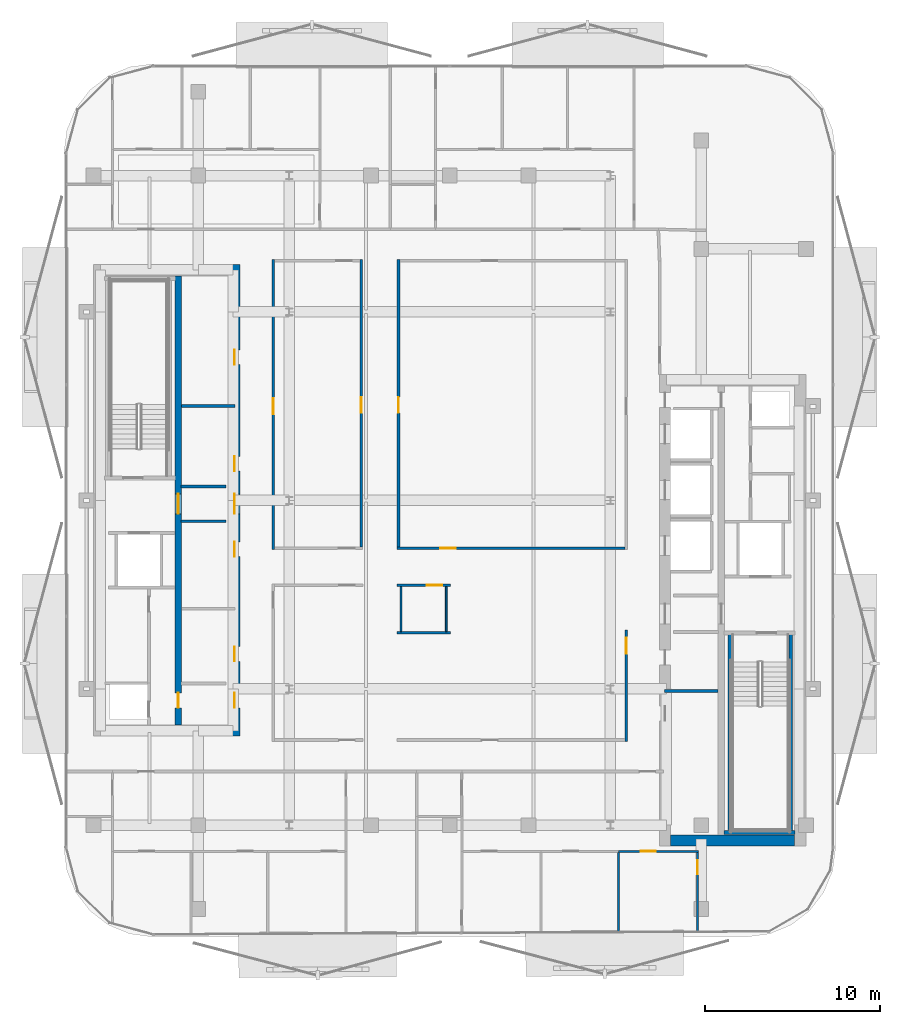
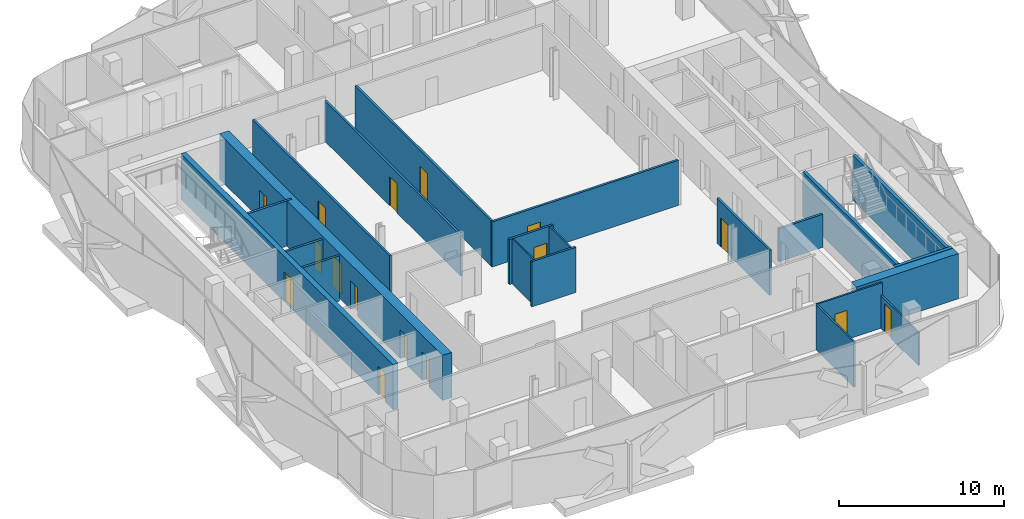
# One storey, part 4 of 15: 22 walls, 16 doors, 16 openings.
"""IFC4 building model written with IfcOpenShell, lengths in metres."""

from ifc_helpers import new_model, si_unit, direction, frame, frame_2d, origin, place, context, subcontext, project, spatial, rectangle, extrude, material, layer, layer_set, type_object, element, fill, save


model = new_model("IFC4")

# Units and contexts
model_context = context("Model", 3, precision=1e-05, world=origin(), true_north=direction((0.0, 1.0)))
body_context = subcontext(model_context, "Body", "Model", "MODEL_VIEW")
ifc_project = project(units=[si_unit("LENGTHUNIT", "METRE"), si_unit("AREAUNIT", "SQUARE_METRE"), si_unit("VOLUMEUNIT", "CUBIC_METRE"), si_unit("PLANEANGLEUNIT", "RADIAN"), si_unit("MASSUNIT", "GRAM", prefix="KILO")], contexts=[model_context])

# Site, building, storey
site_placement = place(None, origin())
site = spatial("IfcSite", under=ifc_project, at=site_placement, CompositionType="ELEMENT")
building_placement = place(site_placement, origin())
building = spatial("IfcBuilding", under=site, at=building_placement, Name="Khairoan Windgate Tower", CompositionType="ELEMENT")
storey_placement = place(building_placement, frame((0.0, 0.0, 226.0)))
storey = spatial("IfcBuildingStorey", under=building, at=storey_placement, Name="L52", CompositionType="ELEMENT", Elevation=226.0)

# Walls
ifc_material_1 = material(Name="Moisture-Resistant Gypsum Partition", Category="gypsum")
ifc_layer_1 = layer(ifc_material_1, 0.10009765625, Name="Moisture-Resistant Gypsum Partition")
ifc_layer_set_1 = layer_set([ifc_layer_1], Name="Moisture-Resistant Gypsum Partition")
wall_type_1 = type_object("IfcWallType", Name="Bathroom Wet-Area Partition Wall", PredefinedType="PARTITIONING", material=ifc_layer_set_1)
for number, where, z_axis, x_axis, name in (
    (1, (-0.199951171875, -4.93994140625, 0.0), (0.0, 0.0, 1.0), (0.0, -1.0, 0.0), "L52 Wet Room Side Wall 089"),
    (2, (-2.7900390625, -7.510009765625, 0.0), (0.0, 0.0, 1.0), (0.0, 1.0, 0.0), "L52 Wet Room Side Wall 090"),
):
    element("IfcWall", number, at=place(storey_placement, frame(where, z_axis=z_axis, x_axis=x_axis)), inside=storey, type_object=wall_type_1, Name=name, PredefinedType="PARTITIONING", context=body_context, shape_type="SweptSolid", body=[
        extrude(rectangle(XDim=2.570068359375, YDim=0.10009765625, at=frame_2d((1.28515625, 0.0))), origin(), (0.0, 0.0, 1.0), 3.340087890625),
    ])
ifc_material_2 = material(Name="Concrete C40/50", Category="concrete")
ifc_layer_2 = layer(ifc_material_2, 0.159912109375, Name="Concrete C40/50")
ifc_layer_set_2 = layer_set([ifc_layer_2], Name="Concrete C40/50")
wall_type_2 = type_object("IfcWallType", Name="Core and Hoistway Enclosure Wall", PredefinedType="STANDARD", material=ifc_layer_set_2)
for number, where, z_axis, x_axis, name in (
    (3, (-15.39990234375, 0.800048828125, 0.0), (0.0, 0.0, 1.0), (1.0, 0.0, 0.0), "L52 Core Shaft Wall SW-WV1-L52"),
    (4, (-15.39990234375, -1.199951171875, 0.0), (0.0, 0.0, 1.0), (1.0, 0.0, 0.0), "L52 Core Shaft Wall SW-WV2-L52"),
):
    element("IfcWall", number, at=place(storey_placement, frame(where, z_axis=z_axis, x_axis=x_axis)), inside=storey, type_object=wall_type_2, Name=name, PredefinedType="STANDARD", context=body_context, shape_type="SweptSolid", body=[
        extrude(rectangle(XDim=2.599853515625, YDim=0.159912109375, at=frame_2d((1.2998046875, 0.0))), origin(), (0.0, 0.0, 1.0), 3.340087890625),
    ])
ifc_material_3 = material(Name="Acoustic Fire-Rated Gypsum Partition", Category="gypsum")
ifc_layer_3 = layer(ifc_material_3, 0.139892578125, Name="Acoustic Fire-Rated Gypsum Partition")
ifc_layer_set_3 = layer_set([ifc_layer_3], Name="Acoustic Fire-Rated Gypsum Partition")
wall_type_3 = type_object("IfcWallType", Name="Inter-Tenancy Compartment Wall", PredefinedType="PARTITIONING", material=ifc_layer_set_3)
wall_1_placement = place(storey_placement, frame((-3.030029296875, -7.580078125, 0.0), z_axis=(0.0, 0.0, 1.0), x_axis=(1.0, 0.0, 0.0)))
element("IfcWall", 5, at=wall_1_placement, inside=storey, type_object=wall_type_3, Name="L52 Interior Partition 087", PredefinedType="PARTITIONING", context=body_context, shape_type="SweptSolid", body=[
    extrude(rectangle(XDim=3.070068359375, YDim=0.139892578125, at=frame_2d((1.53515625, 0.0))), origin(), (0.0, 0.0, 1.0), 3.340087890625),
])

# Wall, opening, door
ifc_material_4 = material(Name="Gypsum Stud Partition", Category="gypsum")
ifc_layer_4 = layer(ifc_material_4, 0.1201171875, Name="Gypsum Stud Partition")
ifc_layer_set_4 = layer_set([ifc_layer_4], Name="Gypsum Stud Partition")
wall_type_4 = type_object("IfcWallType", Name="Internal Room Partition Wall", PredefinedType="PARTITIONING", material=ifc_layer_set_4)
wall_2_placement = place(storey_placement, frame((9.6630859375, -20.10009765625, 0.0), z_axis=(0.0, 0.0, 1.0), x_axis=(1.0, 0.0, 0.0)))
wall_2 = element("IfcWall", 6, at=wall_2_placement, inside=storey, type_object=wall_type_4, Name="L52 Interior Partition 083", PredefinedType="PARTITIONING", context=body_context, shape_type="SweptSolid", body=[
    extrude(rectangle(XDim=4.5869140625, YDim=0.1201171875, at=frame_2d((2.29345703125, 0.0))), origin(), (0.0, 0.0, 1.0), 3.340087890625),
])
opening_1_placement = place(wall_2_placement, frame((1.261962890625, 0.0, 0.0)))
opening_1 = element("IfcOpeningElement", 7, at=opening_1_placement, cuts=wall_2, Name="Opening ID-RM", PredefinedType="OPENING", context=body_context, shape_type="SweptSolid", body=[
    extrude(rectangle(XDim=0.860107421875, YDim=2.14990234375, at=frame_2d((0.43017578125, 1.074951171875))), frame((0.0, 0.070068359375, 0.0), z_axis=(0.0, -1.0, 0.0), x_axis=(1.0, 0.0, 0.0)), (0.0, 0.0, 1.0), 0.14013671875),
])
ifc_material_5 = material(Name="Teak Veneer Timber Leaf", Category="wood")
door_type_1 = type_object("IfcDoorType", Name="Internal Bedroom and Office Door ID-RM 860x2150", OperationType="NOTDEFINED", PredefinedType="DOOR", material=ifc_material_5)
door_1_placement = place(opening_1_placement, origin())
door_1 = element("IfcDoor", 8, at=door_1_placement, inside=storey, type_object=door_type_1, Name="L52 L52-56-L52-60 Door", OperationType="SINGLE_SWING_LEFT", OverallHeight=2.14990234375, OverallWidth=0.860107421875, PredefinedType="DOOR", context=body_context, shape_type="SweptSolid", body=[
    extrude(rectangle(XDim=0.860107421875, YDim=2.14990234375, at=frame_2d((0.43017578125, 1.074951171875))), frame((0.0, 0.02490234375, 0.0), z_axis=(0.0, -1.0, 0.0), x_axis=(1.0, 0.0, 0.0)), (0.0, 0.0, 1.0), 0.050048828125),
])
fill(opening_1, door_1)

wall_3_placement = place(storey_placement, frame((14.18994140625, -24.70458984375, 0.0), z_axis=(0.0, 0.0, 1.0), x_axis=(0.0, 1.0, 0.0)))
wall_3 = element("IfcWall", 9, at=wall_3_placement, inside=storey, type_object=wall_type_4, Name="L52 Interior Partition 084", PredefinedType="PARTITIONING", context=body_context, shape_type="SweptSolid", body=[
    extrude(rectangle(XDim=4.544677734375, YDim=0.1201171875, at=frame_2d((2.2724609375, 0.0))), origin(), (0.0, 0.0, 1.0), 2.43994140625),
])
opening_2_placement = place(wall_3_placement, frame((3.28466796875, 0.0, 0.0)))
opening_2 = element("IfcOpeningElement", 10, at=opening_2_placement, cuts=wall_3, Name="Opening ID-BTH", PredefinedType="OPENING", context=body_context, shape_type="SweptSolid", body=[
    extrude(rectangle(XDim=0.800048828125, YDim=2.10009765625, at=frame_2d((0.39990234375, 1.050048828125))), frame((0.0, 0.070068359375, 0.0), z_axis=(0.0, -1.0, 0.0), x_axis=(1.0, 0.0, 0.0)), (0.0, 0.0, 1.0), 0.14013671875),
])
ifc_material_6 = material(Name="Teak Veneer Timber Leaf", Category="wood")
door_type_2 = type_object("IfcDoorType", Name="Internal Bathroom Door ID-BTH 800x2100", OperationType="NOTDEFINED", PredefinedType="DOOR", material=ifc_material_6)
door_2_placement = place(opening_2_placement, origin())
door_2 = element("IfcDoor", 11, at=door_2_placement, inside=storey, type_object=door_type_2, Name="L52 L52-57-L52-60 Door", OperationType="SINGLE_SWING_RIGHT", OverallHeight=2.10009765625, OverallWidth=0.800048828125, PredefinedType="DOOR", context=body_context, shape_type="SweptSolid", body=[
    extrude(rectangle(XDim=0.800048828125, YDim=2.10009765625, at=frame_2d((0.39990234375, 1.050048828125))), frame((0.0, 0.02490234375, 0.0), z_axis=(0.0, -1.0, 0.0), x_axis=(1.0, 0.0, 0.0)), (0.0, 0.0, 1.0), 0.050048828125),
])
fill(opening_2, door_2)

# Walls
wall_4_placement = place(storey_placement, frame((9.6630859375, -24.726318359375, 0.0), z_axis=(0.0, 0.0, 1.0), x_axis=(0.0, 1.0, 0.0)))
element("IfcWall", 12, at=wall_4_placement, inside=storey, type_object=wall_type_4, Name="L52 Interior Partition 086", PredefinedType="PARTITIONING", context=body_context, shape_type="SweptSolid", body=[
    extrude(rectangle(XDim=4.56640625, YDim=0.1201171875, at=frame_2d((2.283203125, 0.0))), origin(), (0.0, 0.0, 1.0), 3.340087890625),
])
ifc_material_7 = material(Name="Concrete C40/50", Category="concrete")
ifc_layer_5 = layer(ifc_material_7, 0.159912109375, Name="Concrete C40/50")
ifc_layer_set_5 = layer_set([ifc_layer_5], Name="Concrete C40/50")
wall_type_5 = type_object("IfcWallType", Name="Plant and Refuge Compartment Wall", PredefinedType="PARTITIONING", material=ifc_layer_set_5)
wall_5_placement = place(storey_placement, frame((-15.375, 5.39990234375, 0.0), z_axis=(0.0, 0.0, 1.0), x_axis=(1.0, 0.0, 0.0)))
element("IfcWall", 13, at=wall_5_placement, inside=storey, type_object=wall_type_5, Name="L52 Interior Partition 004", PredefinedType="PARTITIONING", context=body_context, shape_type="SweptSolid", body=[
    extrude(rectangle(XDim=3.06494140625, YDim=0.159912109375, at=frame_2d((1.532470703125, 0.0))), origin(), (0.0, 0.0, 1.0), 3.340087890625),
])
wall_6_placement = place(storey_placement, frame((12.31005859375, -10.919921875, 0.0), z_axis=(0.0, 0.0, 1.0), x_axis=(1.0, 0.0, 0.0)))
element("IfcWall", 14, at=wall_6_placement, inside=storey, type_object=wall_type_5, Name="L52 Interior Partition 011", PredefinedType="PARTITIONING", context=body_context, shape_type="SweptSolid", body=[
    extrude(rectangle(XDim=3.06494140625, YDim=0.159912109375, at=frame_2d((1.532470703125, 0.0))), origin(), (0.0, 0.0, 1.0), 2.43994140625),
])

# Wall, opening, door
ifc_material_8 = material(Name="Acoustic Fire-Rated Gypsum Partition", Category="gypsum")
ifc_layer_6 = layer(ifc_material_8, 0.14990234375, Name="Acoustic Fire-Rated Gypsum Partition")
ifc_layer_set_6 = layer_set([ifc_layer_6], Name="Acoustic Fire-Rated Gypsum Partition")
wall_type_6 = type_object("IfcWallType", Name="Rated Corridor Partition Wall", PredefinedType="PARTITIONING", material=ifc_layer_set_6)
wall_7_placement = place(storey_placement, frame((-10.10009765625, -2.81005859375, 0.0), z_axis=(0.0, 0.0, 1.0), x_axis=(0.0, 1.0, 0.0)))
wall_7 = element("IfcWall", 15, at=wall_7_placement, inside=storey, type_object=wall_type_6, Name="L52 Interior Partition 012", PredefinedType="PARTITIONING", context=body_context, shape_type="SweptSolid", body=[
    extrude(rectangle(XDim=16.60498046875, YDim=0.14990234375, at=frame_2d((8.302490234375, 0.0))), origin(), (0.0, 0.0, 1.0), 3.340087890625),
])
opening_3_placement = place(wall_7_placement, frame((7.751220703125, 0.0, 0.0)))
opening_3 = element("IfcOpeningElement", 16, at=opening_3_placement, cuts=wall_7, Name="Opening FD-ENT", PredefinedType="OPENING", context=body_context, shape_type="SweptSolid", body=[
    extrude(rectangle(XDim=0.89990234375, YDim=2.14990234375, at=frame_2d((0.449951171875, 1.074951171875))), frame((0.0, 0.0849609375, 0.0), z_axis=(0.0, -1.0, 0.0), x_axis=(1.0, 0.0, 0.0)), (0.0, 0.0, 1.0), 0.169921875),
])
ifc_material_9 = material(Name="Timber Fire-Rated Core", Category="wood")
door_type_3 = type_object("IfcDoorType", Name="Unit and Office Fire Entrance Door FD-ENT 900x2150", OperationType="NOTDEFINED", PredefinedType="DOOR", material=ifc_material_9)
door_3_placement = place(opening_3_placement, origin())
door_3 = element("IfcDoor", 17, at=door_3_placement, inside=storey, type_object=door_type_3, Name="L52 L52-27-L52-62 Door", OperationType="SINGLE_SWING_LEFT", OverallHeight=2.14990234375, OverallWidth=0.89990234375, PredefinedType="DOOR", context=body_context, shape_type="SweptSolid", body=[
    extrude(rectangle(XDim=0.89990234375, YDim=2.14990234375, at=frame_2d((0.449951171875, 1.074951171875))), frame((0.0, 0.02490234375, 0.0), z_axis=(0.0, -1.0, 0.0), x_axis=(1.0, 0.0, 0.0)), (0.0, 0.0, 1.0), 0.050048828125),
])
fill(opening_3, door_3)

wall_8_placement = place(storey_placement, frame((10.10009765625, -13.794921875, 0.0), z_axis=(0.0, 0.0, 1.0), x_axis=(0.0, 1.0, 0.0)))
wall_8 = element("IfcWall", 18, at=wall_8_placement, inside=storey, type_object=wall_type_6, Name="L52 Interior Partition 016", PredefinedType="PARTITIONING", context=body_context, shape_type="SweptSolid", body=[
    extrude(rectangle(XDim=6.375, YDim=0.14990234375, at=frame_2d((3.1875, 0.0))), origin(), (0.0, 0.0, 1.0), 3.340087890625),
])
opening_4_placement = place(wall_8_placement, frame((5.014892578125, 0.0, 0.0)))
opening_4 = element("IfcOpeningElement", 19, at=opening_4_placement, cuts=wall_8, Name="Opening FD-ENT", PredefinedType="OPENING", context=body_context, shape_type="SweptSolid", body=[
    extrude(rectangle(XDim=0.89990234375, YDim=2.14990234375, at=frame_2d((0.449951171875, 1.074951171875))), frame((0.0, 0.0849609375, 0.0), z_axis=(0.0, -1.0, 0.0), x_axis=(1.0, 0.0, 0.0)), (0.0, 0.0, 1.0), 0.169921875),
])
door_4_placement = place(opening_4_placement, origin())
door_4 = element("IfcDoor", 20, at=door_4_placement, inside=storey, type_object=door_type_3, Name="L52 L52-28-L52-66 Door", OperationType="SINGLE_SWING_LEFT", OverallHeight=2.14990234375, OverallWidth=0.89990234375, PredefinedType="DOOR", context=body_context, shape_type="SweptSolid", body=[
    extrude(rectangle(XDim=0.89990234375, YDim=2.14990234375, at=frame_2d((0.449951171875, 1.074951171875))), frame((0.0, 0.02490234375, 0.0), z_axis=(0.0, -1.0, 0.0), x_axis=(1.0, 0.0, 0.0)), (0.0, 0.0, 1.0), 0.050048828125),
])
fill(opening_4, door_4)

wall_9_placement = place(storey_placement, frame((-3.010009765625, -2.735107421875, 0.0), z_axis=(0.0, 0.0, 1.0), x_axis=(1.0, 0.0, 0.0)))
wall_9 = element("IfcWall", 21, at=wall_9_placement, inside=storey, type_object=wall_type_6, Name="L52 Interior Partition 019", PredefinedType="PARTITIONING", context=body_context, shape_type="SweptSolid", body=[
    extrude(rectangle(XDim=13.034912109375, YDim=0.14990234375, at=frame_2d((6.517578125, 0.0))), origin(), (0.0, 0.0, 1.0), 3.340087890625),
])
opening_5_placement = place(wall_9_placement, frame((2.462646484375, 0.0, 0.0)))
opening_5 = element("IfcOpeningElement", 22, at=opening_5_placement, cuts=wall_9, Name="Opening FD-ENT", PredefinedType="OPENING", context=body_context, shape_type="SweptSolid", body=[
    extrude(rectangle(XDim=0.89990234375, YDim=2.14990234375, at=frame_2d((0.449951171875, 1.074951171875))), frame((0.0, 0.0849609375, 0.0), z_axis=(0.0, -1.0, 0.0), x_axis=(1.0, 0.0, 0.0)), (0.0, 0.0, 1.0), 0.169921875),
])
door_5_placement = place(opening_5_placement, origin())
door_5 = element("IfcDoor", 23, at=door_5_placement, inside=storey, type_object=door_type_3, Name="L52 L52-29-L52-64 Door", OperationType="SINGLE_SWING_RIGHT", OverallHeight=2.14990234375, OverallWidth=0.89990234375, PredefinedType="DOOR", context=body_context, shape_type="SweptSolid", body=[
    extrude(rectangle(XDim=0.89990234375, YDim=2.14990234375, at=frame_2d((0.449951171875, 1.074951171875))), frame((0.0, 0.02490234375, 0.0), z_axis=(0.0, -1.0, 0.0), x_axis=(1.0, 0.0, 0.0)), (0.0, 0.0, 1.0), 0.050048828125),
])
fill(opening_5, door_5)

wall_10_placement = place(storey_placement, frame((-3.030029296875, -4.864990234375, 0.0), z_axis=(0.0, 0.0, 1.0), x_axis=(1.0, 0.0, 0.0)))
wall_10 = element("IfcWall", 24, at=wall_10_placement, inside=storey, type_object=wall_type_6, Name="L52 Interior Partition 020", PredefinedType="PARTITIONING", context=body_context, shape_type="SweptSolid", body=[
    extrude(rectangle(XDim=3.070068359375, YDim=0.14990234375, at=frame_2d((1.53515625, 0.0))), origin(), (0.0, 0.0, 1.0), 3.340087890625),
])
opening_6_placement = place(wall_10_placement, frame((1.7099609375, 0.0, 0.0)))
opening_6 = element("IfcOpeningElement", 25, at=opening_6_placement, cuts=wall_10, Name="Opening FD-ENT", PredefinedType="OPENING", context=body_context, shape_type="SweptSolid", body=[
    extrude(rectangle(XDim=0.89990234375, YDim=2.14990234375, at=frame_2d((0.449951171875, 1.074951171875))), frame((0.0, 0.0849609375, 0.0), z_axis=(0.0, -1.0, 0.0), x_axis=(1.0, 0.0, 0.0)), (0.0, 0.0, 1.0), 0.169921875),
])
door_6_placement = place(opening_6_placement, origin())
door_6 = element("IfcDoor", 26, at=door_6_placement, inside=storey, type_object=door_type_3, Name="L52 L52-29-L52-65 Door", OperationType="SINGLE_SWING_LEFT", OverallHeight=2.14990234375, OverallWidth=0.89990234375, PredefinedType="DOOR", context=body_context, shape_type="SweptSolid", body=[
    extrude(rectangle(XDim=0.89990234375, YDim=2.14990234375, at=frame_2d((0.449951171875, 1.074951171875))), frame((0.0, 0.02490234375, 0.0), z_axis=(0.0, -1.0, 0.0), x_axis=(1.0, 0.0, 0.0)), (0.0, 0.0, 1.0), 0.050048828125),
])
fill(opening_6, door_6)

wall_11_placement = place(storey_placement, frame((-5.06494140625, -2.659912109375, 0.0), z_axis=(0.0, 0.0, 1.0), x_axis=(0.0, 1.0, 0.0)))
wall_11 = element("IfcWall", 27, at=wall_11_placement, inside=storey, type_object=wall_type_6, Name="L52 Interior Partition 021", PredefinedType="PARTITIONING", context=body_context, shape_type="SweptSolid", body=[
    extrude(rectangle(XDim=16.454833984375, YDim=0.14990234375, at=frame_2d((8.2275390625, 0.0))), origin(), (0.0, 0.0, 1.0), 2.989990234375),
])
opening_7_placement = place(wall_11_placement, frame((7.67724609375, 0.0, 0.0)))
opening_7 = element("IfcOpeningElement", 28, at=opening_7_placement, cuts=wall_11, Name="Opening FD-ENT", PredefinedType="OPENING", context=body_context, shape_type="SweptSolid", body=[
    extrude(rectangle(XDim=0.89990234375, YDim=2.14990234375, at=frame_2d((0.449951171875, 1.074951171875))), frame((0.0, 0.0849609375, 0.0), z_axis=(0.0, -1.0, 0.0), x_axis=(1.0, 0.0, 0.0)), (0.0, 0.0, 1.0), 0.169921875),
])
door_7_placement = place(opening_7_placement, origin())
door_7 = element("IfcDoor", 29, at=door_7_placement, inside=storey, type_object=door_type_3, Name="L52 L52-30-L52-62 Door", OperationType="SINGLE_SWING_RIGHT", OverallHeight=2.14990234375, OverallWidth=0.89990234375, PredefinedType="DOOR", context=body_context, shape_type="SweptSolid", body=[
    extrude(rectangle(XDim=0.89990234375, YDim=2.14990234375, at=frame_2d((0.449951171875, 1.074951171875))), frame((0.0, 0.02490234375, 0.0), z_axis=(0.0, -1.0, 0.0), x_axis=(1.0, 0.0, 0.0)), (0.0, 0.0, 1.0), 0.050048828125),
])
fill(opening_7, door_7)

wall_12_placement = place(storey_placement, frame((-2.93505859375, -2.659912109375, 0.0), z_axis=(0.0, 0.0, 1.0), x_axis=(0.0, 1.0, 0.0)))
wall_12 = element("IfcWall", 30, at=wall_12_placement, inside=storey, type_object=wall_type_6, Name="L52 Interior Partition 022", PredefinedType="PARTITIONING", context=body_context, shape_type="SweptSolid", body=[
    extrude(rectangle(XDim=16.454833984375, YDim=0.14990234375, at=frame_2d((8.2275390625, 0.0))), origin(), (0.0, 0.0, 1.0), 3.340087890625),
])
opening_8_placement = place(wall_12_placement, frame((7.67724609375, 0.0, 0.0)))
opening_8 = element("IfcOpeningElement", 31, at=opening_8_placement, cuts=wall_12, Name="Opening FD-ENT", PredefinedType="OPENING", context=body_context, shape_type="SweptSolid", body=[
    extrude(rectangle(XDim=0.89990234375, YDim=2.14990234375, at=frame_2d((0.449951171875, 1.074951171875))), frame((0.0, 0.0849609375, 0.0), z_axis=(0.0, -1.0, 0.0), x_axis=(1.0, 0.0, 0.0)), (0.0, 0.0, 1.0), 0.169921875),
])
door_8_placement = place(opening_8_placement, origin())
door_8 = element("IfcDoor", 32, at=door_8_placement, inside=storey, type_object=door_type_3, Name="L52 L52-30-L52-64 Door", OperationType="SINGLE_SWING_LEFT", OverallHeight=2.14990234375, OverallWidth=0.89990234375, PredefinedType="DOOR", context=body_context, shape_type="SweptSolid", body=[
    extrude(rectangle(XDim=0.89990234375, YDim=2.14990234375, at=frame_2d((0.449951171875, 1.074951171875))), frame((0.0, 0.02490234375, 0.0), z_axis=(0.0, -1.0, 0.0), x_axis=(1.0, 0.0, 0.0)), (0.0, 0.0, 1.0), 0.050048828125),
])
fill(opening_8, door_8)

# Wall
ifc_material_10 = material(Name="Concrete C60/75", Category="concrete")
ifc_layer_7 = layer(ifc_material_10, 0.64990234375, Name="Concrete C60/75")
ifc_layer_set_7 = layer_set([ifc_layer_7], Name="Concrete C60/75")
wall_type_7 = type_object("IfcWallType", Name="Shear Wall CW-E2 650mm", PredefinedType="SHEAR", material=ifc_layer_set_7)
wall_13_placement = place(storey_placement, frame((12.64990234375, -19.47509765625, 0.0), z_axis=(0.0, 0.0, 1.0), x_axis=(1.0, 0.0, 0.0)))
element("IfcWall", 33, at=wall_13_placement, inside=storey, type_object=wall_type_7, Name="E Core South Shear Wall L52", PredefinedType="SHEAR", context=body_context, shape_type="SweptSolid", body=[
    extrude(rectangle(XDim=7.10009765625, YDim=0.64990234375, at=frame_2d((3.550048828125, 0.0))), origin(), (0.0, 0.0, 1.0), 3.340087890625),
])

# Wall, openings, doors
ifc_material_11 = material(Name="Concrete C60/75", Category="concrete")
ifc_layer_8 = layer(ifc_material_11, 0.64990234375, Name="Concrete C60/75")
ifc_layer_set_8 = layer_set([ifc_layer_8], Name="Concrete C60/75")
wall_type_8 = type_object("IfcWallType", Name="Shear Wall CW-W2 650mm", PredefinedType="SHEAR", material=ifc_layer_set_8)
wall_14_placement = place(storey_placement, frame((-12.324951171875, -13.5, 0.0), z_axis=(0.0, 0.0, 1.0), x_axis=(0.0, 1.0, 0.0)))
wall_14 = element("IfcWall", 34, at=wall_14_placement, inside=storey, type_object=wall_type_8, Name="W Core East Shear Wall L52", PredefinedType="SHEAR", context=body_context, shape_type="SweptSolid", body=[
    extrude(rectangle(XDim=27.0, YDim=0.64990234375, at=frame_2d((13.5, 0.0))), origin(), (0.0, 0.0, 1.0), 3.340087890625),
])
opening_9_placement = place(wall_14_placement, frame((15.175048828125, 0.0, 0.0)))
opening_9 = element("IfcOpeningElement", 35, at=opening_9_placement, cuts=wall_14, Name="Opening FD-SRV", PredefinedType="OPENING", context=body_context, shape_type="SweptSolid", body=[
    extrude(rectangle(XDim=0.85009765625, YDim=2.10009765625, at=frame_2d((0.425048828125, 1.050048828125))), frame((0.0, 0.3349609375, 0.0), z_axis=(0.0, -1.0, 0.0), x_axis=(1.0, 0.0, 0.0)), (0.0, 0.0, 1.0), 0.669921875),
])
opening_10_placement = place(wall_14_placement, frame((21.27490234375, 0.0, 0.0)))
opening_10 = element("IfcOpeningElement", 36, at=opening_10_placement, cuts=wall_14, Name="Opening FD-SRV", PredefinedType="OPENING", context=body_context, shape_type="SweptSolid", body=[
    extrude(rectangle(XDim=0.85009765625, YDim=2.10009765625, at=frame_2d((0.425048828125, 1.050048828125))), frame((0.0, 0.3349609375, 0.0), z_axis=(0.0, -1.0, 0.0), x_axis=(1.0, 0.0, 0.0)), (0.0, 0.0, 1.0), 0.669921875),
])
opening_11_placement = place(wall_14_placement, frame((4.27490234375, 0.0, 0.0)))
opening_11 = element("IfcOpeningElement", 37, at=opening_11_placement, cuts=wall_14, Name="Opening FD-SRV", PredefinedType="OPENING", context=body_context, shape_type="SweptSolid", body=[
    extrude(rectangle(XDim=0.85009765625, YDim=2.10009765625, at=frame_2d((0.425048828125, 1.050048828125))), frame((0.0, 0.3349609375, 0.0), z_axis=(0.0, -1.0, 0.0), x_axis=(1.0, 0.0, 0.0)), (0.0, 0.0, 1.0), 0.669921875),
])
opening_12_placement = place(wall_14_placement, frame((10.27490234375, 0.0, 0.0)))
opening_12 = element("IfcOpeningElement", 38, at=opening_12_placement, cuts=wall_14, Name="Opening FD-SRV", PredefinedType="OPENING", context=body_context, shape_type="SweptSolid", body=[
    extrude(rectangle(XDim=0.85009765625, YDim=2.10009765625, at=frame_2d((0.425048828125, 1.050048828125))), frame((0.0, 0.3349609375, 0.0), z_axis=(0.0, -1.0, 0.0), x_axis=(1.0, 0.0, 0.0)), (0.0, 0.0, 1.0), 0.669921875),
])
opening_13_placement = place(wall_14_placement, frame((12.72509765625, 0.0, 0.0)))
opening_13 = element("IfcOpeningElement", 39, at=opening_13_placement, cuts=wall_14, Name="Opening FD-FFL", PredefinedType="OPENING", context=body_context, shape_type="SweptSolid", body=[
    extrude(rectangle(XDim=1.14990234375, YDim=2.199951171875, at=frame_2d((0.574951171875, 1.10009765625))), frame((0.0, 0.3349609375, 0.0), z_axis=(0.0, -1.0, 0.0), x_axis=(1.0, 0.0, 0.0)), (0.0, 0.0, 1.0), 0.669921875),
])
opening_14_placement = place(wall_14_placement, frame((1.625, 0.0, 0.0)))
opening_14 = element("IfcOpeningElement", 40, at=opening_14_placement, cuts=wall_14, Name="Opening FD-SRV", PredefinedType="OPENING", context=body_context, shape_type="SweptSolid", body=[
    extrude(rectangle(XDim=0.85009765625, YDim=2.10009765625, at=frame_2d((0.425048828125, 1.050048828125))), frame((0.0, 0.3349609375, 0.0), z_axis=(0.0, -1.0, 0.0), x_axis=(1.0, 0.0, 0.0)), (0.0, 0.0, 1.0), 0.669921875),
])
ifc_material_12 = material(Name="Steel S355", Category="steel")
door_type_4 = type_object("IfcDoorType", Name="Core Service and Riser Fire Door FD-SRV 850x2100", OperationType="NOTDEFINED", PredefinedType="DOOR", material=ifc_material_12)
door_9_placement = place(opening_9_placement, origin())
door_9 = element("IfcDoor", 41, at=door_9_placement, inside=storey, type_object=door_type_4, Name="L52 Upper Core Room Door B1-1", OperationType="SINGLE_SWING_RIGHT", OverallHeight=2.10009765625, OverallWidth=0.85009765625, PredefinedType="DOOR", context=body_context, shape_type="SweptSolid", body=[
    extrude(rectangle(XDim=0.85009765625, YDim=2.10009765625, at=frame_2d((0.425048828125, 1.050048828125))), frame((0.0, 0.02490234375, 0.0), z_axis=(0.0, -1.0, 0.0), x_axis=(1.0, 0.0, 0.0)), (0.0, 0.0, 1.0), 0.050048828125),
])
fill(opening_9, door_9)
door_10_placement = place(opening_10_placement, origin())
door_10 = element("IfcDoor", 42, at=door_10_placement, inside=storey, type_object=door_type_4, Name="L52 Upper Core Room Door B1-2", OperationType="SINGLE_SWING_LEFT", OverallHeight=2.10009765625, OverallWidth=0.85009765625, PredefinedType="DOOR", context=body_context, shape_type="SweptSolid", body=[
    extrude(rectangle(XDim=0.85009765625, YDim=2.10009765625, at=frame_2d((0.425048828125, 1.050048828125))), frame((0.0, 0.02490234375, 0.0), z_axis=(0.0, -1.0, 0.0), x_axis=(1.0, 0.0, 0.0)), (0.0, 0.0, 1.0), 0.050048828125),
])
fill(opening_10, door_10)
door_11_placement = place(opening_11_placement, origin())
door_11 = element("IfcDoor", 43, at=door_11_placement, inside=storey, type_object=door_type_4, Name="L52 Upper Core Room Door B2-1", OperationType="SINGLE_SWING_RIGHT", OverallHeight=2.10009765625, OverallWidth=0.85009765625, PredefinedType="DOOR", context=body_context, shape_type="SweptSolid", body=[
    extrude(rectangle(XDim=0.85009765625, YDim=2.10009765625, at=frame_2d((0.425048828125, 1.050048828125))), frame((0.0, 0.02490234375, 0.0), z_axis=(0.0, -1.0, 0.0), x_axis=(1.0, 0.0, 0.0)), (0.0, 0.0, 1.0), 0.050048828125),
])
fill(opening_11, door_11)
door_12_placement = place(opening_12_placement, origin())
door_12 = element("IfcDoor", 44, at=door_12_placement, inside=storey, type_object=door_type_4, Name="L52 Upper Core Room Door B2-2", OperationType="SINGLE_SWING_LEFT", OverallHeight=2.10009765625, OverallWidth=0.85009765625, PredefinedType="DOOR", context=body_context, shape_type="SweptSolid", body=[
    extrude(rectangle(XDim=0.85009765625, YDim=2.10009765625, at=frame_2d((0.425048828125, 1.050048828125))), frame((0.0, 0.02490234375, 0.0), z_axis=(0.0, -1.0, 0.0), x_axis=(1.0, 0.0, 0.0)), (0.0, 0.0, 1.0), 0.050048828125),
])
fill(opening_12, door_12)
door_13_placement = place(opening_14_placement, origin())
door_13 = element("IfcDoor", 45, at=door_13_placement, inside=storey, type_object=door_type_4, Name="L52 West Core Service Vestibule Outer Door", OperationType="SINGLE_SWING_RIGHT", OverallHeight=2.10009765625, OverallWidth=0.85009765625, PredefinedType="DOOR", context=body_context, shape_type="SweptSolid", body=[
    extrude(rectangle(XDim=0.85009765625, YDim=2.10009765625, at=frame_2d((0.425048828125, 1.050048828125))), frame((0.0, 0.02490234375, 0.0), z_axis=(0.0, -1.0, 0.0), x_axis=(1.0, 0.0, 0.0)), (0.0, 0.0, 1.0), 0.050048828125),
])
fill(opening_14, door_13)
ifc_material_13 = material(Name="Steel S355", Category="steel")
door_type_5 = type_object("IfcDoorType", Name="Firefighting Lobby Fire Door FD-FFL 1150x2200", OperationType="NOTDEFINED", PredefinedType="DOOR", material=ifc_material_13)
door_14_placement = place(opening_13_placement, origin())
door_14 = element("IfcDoor", 46, at=door_14_placement, inside=storey, type_object=door_type_5, Name="L52 West Core Vestibule Entry Door", OperationType="SINGLE_SWING_RIGHT", OverallHeight=2.199951171875, OverallWidth=1.14990234375, PredefinedType="DOOR", context=body_context, shape_type="SweptSolid", body=[
    extrude(rectangle(XDim=1.14990234375, YDim=2.199951171875, at=frame_2d((0.574951171875, 1.10009765625))), frame((0.0, 0.02490234375, 0.0), z_axis=(0.0, -1.0, 0.0), x_axis=(1.0, 0.0, 0.0)), (0.0, 0.0, 1.0), 0.050048828125),
])
fill(opening_13, door_14)

ifc_material_14 = material(Name="Concrete C60/75", Category="concrete")
ifc_layer_9 = layer(ifc_material_14, 0.35009765625, Name="Concrete C60/75")
ifc_layer_set_9 = layer_set([ifc_layer_9], Name="Concrete C60/75")
wall_type_9 = type_object("IfcWallType", Name="Shear Wall SW-1 350mm", PredefinedType="SHEAR", material=ifc_layer_set_9)
wall_15_placement = place(storey_placement, frame((-15.550048828125, -12.85009765625, 0.0), z_axis=(0.0, 0.0, 1.0), x_axis=(0.0, 1.0, 0.0)))
wall_15 = element("IfcWall", 47, at=wall_15_placement, inside=storey, type_object=wall_type_9, Name="W Core Spine Shear Wall L52", PredefinedType="SHEAR", context=body_context, shape_type="SweptSolid", body=[
    extrude(rectangle(XDim=25.7001953125, YDim=0.35009765625, at=frame_2d((12.85009765625, 0.0))), origin(), (0.0, 0.0, 1.0), 3.340087890625),
])
opening_15_placement = place(wall_15_placement, frame((12.074951171875, 0.0, 0.0)))
opening_15 = element("IfcOpeningElement", 48, at=opening_15_placement, cuts=wall_15, Name="Opening FD-FFL", PredefinedType="OPENING", context=body_context, shape_type="SweptSolid", body=[
    extrude(rectangle(XDim=1.14990234375, YDim=2.199951171875, at=frame_2d((0.574951171875, 1.10009765625))), frame((0.0, 0.18505859375, 0.0), z_axis=(0.0, -1.0, 0.0), x_axis=(1.0, 0.0, 0.0)), (0.0, 0.0, 1.0), 0.3701171875),
])
opening_16_placement = place(wall_15_placement, frame((0.97509765625, 0.0, 0.0)))
opening_16 = element("IfcOpeningElement", 49, at=opening_16_placement, cuts=wall_15, Name="Opening FD-SRV", PredefinedType="OPENING", context=body_context, shape_type="SweptSolid", body=[
    extrude(rectangle(XDim=0.85009765625, YDim=2.10009765625, at=frame_2d((0.425048828125, 1.050048828125))), frame((0.0, 0.18505859375, 0.0), z_axis=(0.0, -1.0, 0.0), x_axis=(1.0, 0.0, 0.0)), (0.0, 0.0, 1.0), 0.3701171875),
])
door_15_placement = place(opening_16_placement, origin())
door_15 = element("IfcDoor", 50, at=door_15_placement, inside=storey, type_object=door_type_4, Name="L52 West Core Service Passage Inner Door", OperationType="SINGLE_SWING_LEFT", OverallHeight=2.10009765625, OverallWidth=0.85009765625, PredefinedType="DOOR", context=body_context, shape_type="SweptSolid", body=[
    extrude(rectangle(XDim=0.85009765625, YDim=2.10009765625, at=frame_2d((0.425048828125, 1.050048828125))), frame((0.0, 0.02490234375, 0.0), z_axis=(0.0, -1.0, 0.0), x_axis=(1.0, 0.0, 0.0)), (0.0, 0.0, 1.0), 0.050048828125),
])
fill(opening_16, door_15)
door_16_placement = place(opening_15_placement, origin())
door_16 = element("IfcDoor", 51, at=door_16_placement, inside=storey, type_object=door_type_5, Name="L52 West Firefighting Lobby Fire Door", OperationType="SINGLE_SWING_LEFT", OverallHeight=2.199951171875, OverallWidth=1.14990234375, PredefinedType="DOOR", context=body_context, shape_type="SweptSolid", body=[
    extrude(rectangle(XDim=1.14990234375, YDim=2.199951171875, at=frame_2d((0.574951171875, 1.10009765625))), frame((0.0, 0.02490234375, 0.0), z_axis=(0.0, -1.0, 0.0), x_axis=(1.0, 0.0, 0.0)), (0.0, 0.0, 1.0), 0.050048828125),
])
fill(opening_15, door_16)

# Walls
ifc_material_15 = material(Name="Concrete C50/60", Category="concrete")
ifc_layer_10 = layer(ifc_material_15, 0.219970703125, Name="Concrete C50/60")
ifc_layer_set_10 = layer_set([ifc_layer_10], Name="Concrete C50/60")
wall_type_10 = type_object("IfcWallType", Name="Shear Wall SW-ST 220mm", PredefinedType="SHEAR", material=ifc_layer_set_10)
for number, where, z_axis, x_axis, name in (
    (52, (16.0400390625, -19.010009765625, 0.0), (0.0, 0.0, 1.0), (0.0, 1.0, 0.0), "L52 Stair ST1 West Bearing Wall"),
    (53, (19.530029296875, -19.010009765625, 0.0), (0.0, 0.0, 1.0), (0.0, 1.0, 0.0), "L52 Stair ST1 East Bearing Wall"),
):
    element("IfcWall", number, at=place(storey_placement, frame(where, z_axis=z_axis, x_axis=x_axis)), inside=storey, type_object=wall_type_10, Name=name, PredefinedType="SHEAR", context=body_context, shape_type="SweptSolid", body=[
        extrude(rectangle(XDim=11.419921875, YDim=0.219970703125, at=frame_2d((5.7099609375, 0.0))), origin(), (0.0, 0.0, 1.0), 3.340087890625),
    ])
wall_16_placement = place(storey_placement, frame((15.705078125, -19.010009765625, 0.0), z_axis=(0.0, 0.0, 1.0), x_axis=(1.0, 0.0, 0.0)))
element("IfcWall", 54, at=wall_16_placement, inside=storey, type_object=wall_type_10, Name="L52 Stair ST1 South Bearing Wall", PredefinedType="SHEAR", context=body_context, shape_type="SweptSolid", body=[
    extrude(rectangle(XDim=4.06494140625, YDim=0.219970703125, at=frame_2d((2.032470703125, 0.0))), origin(), (0.0, 0.0, 1.0), 3.340087890625),
])

save(model, "model.ifc")
